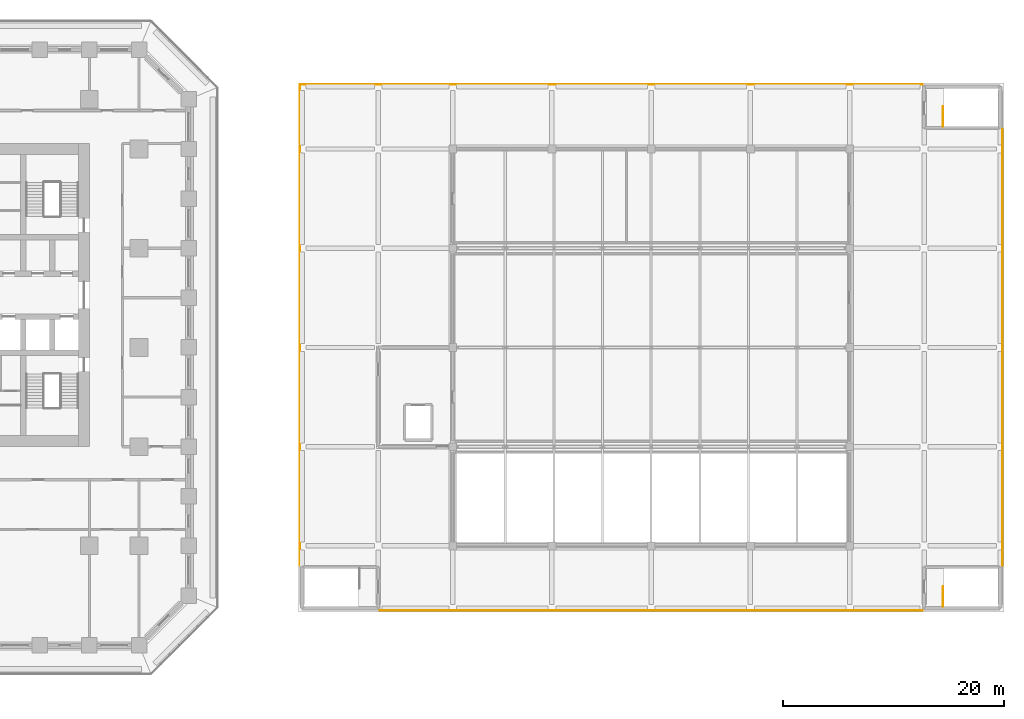
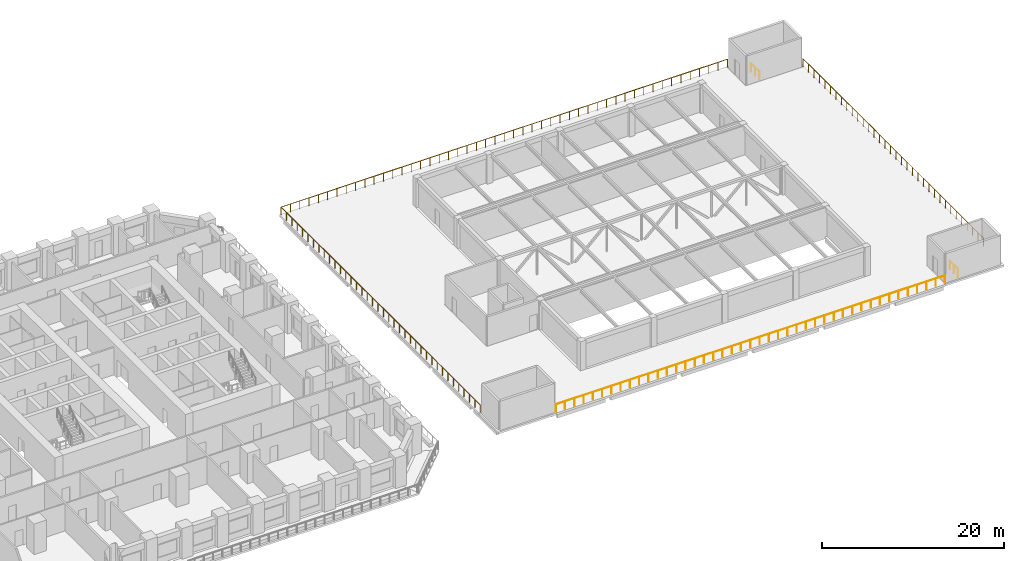
# One storey, part 29 of 30: 5 railings.
"""IFC4 building model written with IfcOpenShell, lengths in metres."""

import ifcopenshell
import ifcopenshell.guid

model = None  # the IFC model being written
_history = None  # IfcOwnerHistory: only IFC2X3 demands one
_inside = {}  # id of a spatial element -> (the spatial element, [elements in it])
_under = {}  # id of a project, library or spatial element -> (it, [spatial elements below it])
_declared = {}  # id of a project -> (the project, [libraries it declares])
_typed = {}  # id of a type object -> (the type object, [elements of that type])
_made_of = {}  # id of a material, layer set ... -> (it, [elements and type objects made of it])


def new_model(schema):
    """Start an empty IFC model of exactly this schema.

    Asked for "IFC4X3", IfcOpenShell would pick the latest addendum, in which some entities
    have other attributes; the version numbers below select the first issue.
    IFC2X3 requires an IfcOwnerHistory on every rooted entity: one is made here for all.
    """
    global model, _history
    if schema == "IFC4X3":
        model = ifcopenshell.file(schema_version=(4, 3, 0, 0))
    else:
        model = ifcopenshell.file(schema=schema)
    _inside.clear()
    _under.clear()
    _declared.clear()
    _typed.clear()
    _made_of.clear()
    _history = None
    if model.schema == "IFC2X3":
        org = make("IfcOrganization", Name="unknown")
        user = make(
            "IfcPersonAndOrganization",
            ThePerson=make("IfcPerson", FamilyName="unknown"),
            TheOrganization=org,
        )
        app = make(
            "IfcApplication",
            ApplicationDeveloper=org,
            Version="unknown",
            ApplicationFullName="unknown",
            ApplicationIdentifier="unknown",
        )
        _history = make(
            "IfcOwnerHistory",
            OwningUser=user,
            OwningApplication=app,
            ChangeAction="ADDED",
            CreationDate=0,
        )
    return model


def make(cls, **values):
    """One entity of the class cls with the attributes given. An attribute that is None is left unset."""
    return model.create_entity(
        cls, **{name: value for name, value in values.items() if value is not None}
    )


def rooted(cls, **values):
    """An entity with a GlobalId (a new one), such as an element, a storey or a relation."""
    return make(cls, GlobalId=ifcopenshell.guid.new(), OwnerHistory=_history, **values)


def si_unit(unit_type, name, prefix=None):
    """IfcSIUnit, for example si_unit("LENGTHUNIT", "METRE", prefix="MILLI")."""
    return make("IfcSIUnit", UnitType=unit_type, Prefix=prefix, Name=name)


def assignment(units):
    """IfcUnitAssignment: the units of a project."""
    return None if units is None else make("IfcUnitAssignment", Units=units)


def point(xyz):
    """IfcCartesianPoint."""
    return None if xyz is None else make("IfcCartesianPoint", Coordinates=xyz)


def direction(xyz):
    """IfcDirection."""
    return None if xyz is None else make("IfcDirection", DirectionRatios=xyz)


def frame(location, z_axis=None, x_axis=None):
    """IfcAxis2Placement3D, a coordinate frame: its origin and axes. An axis left out is left unset."""
    return make(
        "IfcAxis2Placement3D",
        Location=point(location),
        Axis=direction(z_axis),
        RefDirection=direction(x_axis),
    )


def frame_2d(location, x_axis=None):
    """IfcAxis2Placement2D, a coordinate frame in the plane: its origin and x axis."""
    return make(
        "IfcAxis2Placement2D", Location=point(location), RefDirection=direction(x_axis)
    )


def origin():
    """The frame at (0, 0, 0) with its axes left unset."""
    return frame((0.0, 0.0, 0.0))


def origin_2d():
    """The frame at (0, 0) in the plane with its x axis left unset."""
    return frame_2d((0.0, 0.0))


def place(relative_to, where):
    """IfcLocalPlacement: puts the frame where relative to a parent placement (None: the world)."""
    return make(
        "IfcLocalPlacement", PlacementRelTo=relative_to, RelativePlacement=where
    )


def context(
    kind, dimensions, precision=None, world=None, true_north=None, identifier=None
):
    """IfcGeometricRepresentationContext, for example the 3D "Model" context."""
    return make(
        "IfcGeometricRepresentationContext",
        ContextIdentifier=identifier,
        ContextType=kind,
        CoordinateSpaceDimension=dimensions,
        Precision=precision,
        WorldCoordinateSystem=world,
        TrueNorth=true_north,
    )


def subcontext(parent, identifier, kind, view, scale=None):
    """IfcGeometricRepresentationSubContext, for example "Body" below "Model"."""
    return make(
        "IfcGeometricRepresentationSubContext",
        ContextIdentifier=identifier,
        ContextType=kind,
        ParentContext=parent,
        TargetScale=scale,
        TargetView=view,
    )


def project(units=None, contexts=None):
    """IfcProject with its units and contexts."""
    return rooted(
        "IfcProject",
        Name="project",
        RepresentationContexts=contexts,
        UnitsInContext=assignment(units),
    )


def spatial(cls, under=None, at=None, **own):
    """A site, building, storey or space (cls), placed at a placement, below another one or the project."""
    s = rooted(cls, ObjectPlacement=at, **own)
    if under is not None:
        _under.setdefault(under.id(), (under, []))[1].append(s)
    return s


def profile(cls, at=None, kind="AREA", **sizes):
    """A parametric profile (cls). Its sizes go by their IFC names, for example OverallWidth=200.0."""
    return make(cls, ProfileType=kind, Position=at, **sizes)


def circle(**sizes):
    """IfcCircleProfileDef."""
    return profile("IfcCircleProfileDef", **sizes)


def extrude(swept, where, along, depth):
    """IfcExtrudedAreaSolid: the profile swept, set in the frame where, extruded along a direction by depth."""
    return make(
        "IfcExtrudedAreaSolid",
        SweptArea=swept,
        Position=where,
        ExtrudedDirection=direction(along),
        Depth=depth,
    )


def shape(context_of_items, identifier, shape_type, items):
    """IfcShapeRepresentation: the items that make up one representation, for example the "Body"."""
    return make(
        "IfcShapeRepresentation",
        ContextOfItems=context_of_items,
        RepresentationIdentifier=identifier,
        RepresentationType=shape_type,
        Items=items,
    )


def material(Name=None, Category=None):
    """IfcMaterial."""
    return make("IfcMaterial", Name=Name, Category=Category)


def made_of(thing, what):
    """Note that an element or type object is made of a material, layer set ...; save() writes the relation."""
    if what is not None:
        _made_of.setdefault(what.id(), (what, []))[1].append(thing)
    return thing


def type_object(cls, material=None, **own):
    """A type object (cls), such as IfcWallType, which elements share."""
    return made_of(rooted(cls, **own), material)


def element(
    cls,
    number,
    at=None,
    inside=None,
    cuts=None,
    type_object=None,
    material=None,
    context=None,
    identifier="Body",
    shape_type=None,
    held_by="IfcProductDefinitionShape",
    body=None,
    shapes=None,
    **own,
):
    """One element of the class cls, such as IfcWall. Its Tag is "e" and its number.

    at: its placement. inside: the storey or other place that contains it. cuts: it is an
    opening in that element (IfcRelVoidsElement). A single representation is given by context,
    identifier, shape_type and body (its items); several are given by shapes. held_by: the class
    of the entity that holds the representations. save() writes the other relations.
    """
    e = rooted(cls, Tag="e%d" % number, ObjectPlacement=at, **own)
    if body is not None:
        shapes = [shape(context, identifier, shape_type, body)]
    if shapes is not None:
        e.Representation = make(held_by, Representations=shapes)
    if inside is not None:
        _inside.setdefault(inside.id(), (inside, []))[1].append(e)
    if cuts is not None:
        rooted(
            "IfcRelVoidsElement", RelatingBuildingElement=cuts, RelatedOpeningElement=e
        )
    if type_object is not None:
        _typed.setdefault(type_object.id(), (type_object, []))[1].append(e)
    return made_of(e, material)


def aggregate(whole, parts):
    """IfcRelAggregates: a whole, such as a stair, and the parts it consists of."""
    return rooted("IfcRelAggregates", RelatingObject=whole, RelatedObjects=parts)


def save(model, path):
    """Write the relations noted so far, then the file.

    IfcRelAggregates (storeys below a building ...), IfcRelContainedInSpatialStructure (elements
    in a storey), IfcRelDefinesByType, IfcRelAssociatesMaterial and IfcRelDeclares: one each for
    every whole, place, type object, material and project.
    """
    for whole, parts in _under.values():
        aggregate(whole, parts)
    for where, things in _inside.values():
        rooted(
            "IfcRelContainedInSpatialStructure",
            RelatedElements=things,
            RelatingStructure=where,
        )
    for kind, things in _typed.values():
        rooted("IfcRelDefinesByType", RelatedObjects=things, RelatingType=kind)
    for what, things in _made_of.values():
        rooted("IfcRelAssociatesMaterial", RelatedObjects=things, RelatingMaterial=what)
    for by, libraries in _declared.values():
        rooted("IfcRelDeclares", RelatingContext=by, RelatedDefinitions=libraries)
    model.write(path)


model = new_model("IFC4")

# Units and contexts
model_context = context("Model", 3, precision=1e-05, world=origin(), true_north=direction((0.0, 1.0)))
body_context = subcontext(model_context, "Body", "Model", "MODEL_VIEW")
ifc_project = project(units=[si_unit("LENGTHUNIT", "METRE"), si_unit("AREAUNIT", "SQUARE_METRE"), si_unit("VOLUMEUNIT", "CUBIC_METRE"), si_unit("PLANEANGLEUNIT", "RADIAN"), si_unit("MASSUNIT", "GRAM", prefix="KILO")], contexts=[model_context])

# Site, building, storey
site_placement = place(None, origin())
site = spatial("IfcSite", under=ifc_project, at=site_placement, CompositionType="ELEMENT")
building_placement = place(site_placement, origin())
building = spatial("IfcBuilding", under=site, at=building_placement, Name="Corbel Stack Research Tower", CompositionType="ELEMENT")
storey_placement = place(building_placement, frame((0.0, 0.0, 19.5)))
storey = spatial("IfcBuildingStorey", under=building, at=storey_placement, Name="L04", CompositionType="ELEMENT", Elevation=19.5)

# Railings
ifc_material = material(Name="Steel S235", Category="steel")
railing_type = type_object("IfcRailingType", Name="HR1 guard 1100", PredefinedType="GUARDRAIL", material=ifc_material)
railing_1_placement = place(storey_placement, frame((93.570068359375, -23.85009765625, 0.0)))
element("IfcRailing", 1, at=railing_1_placement, inside=storey, type_object=railing_type, Name="Roof terrace guard 1", PredefinedType="GUARDRAIL", context=body_context, shape_type="SweptSolid", body=[
    extrude(circle(Radius=0.02392578125, at=origin_2d()), frame((0.0, 0.0, 1.076171875), z_axis=(-1.0, 0.0, 0.0), x_axis=(0.0, -1.0, 0.0)), (0.0, 0.0, 1.0), 49.239990234375),
    extrude(circle(Radius=0.02099609375, at=origin_2d()), origin(), (0.0, 0.0, 1.0), 1.052001953125),
    extrude(circle(Radius=0.02099609375, at=origin_2d()), frame((-1.17236328125, 0.0, 0.0)), (0.0, 0.0, 1.0), 1.052001953125),
    extrude(circle(Radius=0.02099609375, at=origin_2d()), frame((-2.3447265625, 0.0, 0.0)), (0.0, 0.0, 1.0), 1.052001953125),
    extrude(circle(Radius=0.02099609375, at=origin_2d()), frame((-3.51708984375, 0.0, 0.0)), (0.0, 0.0, 1.0), 1.052001953125),
    extrude(circle(Radius=0.02099609375, at=origin_2d()), frame((-4.689453125, 0.0, 0.0)), (0.0, 0.0, 1.0), 1.052001953125),
    extrude(circle(Radius=0.02099609375, at=origin_2d()), frame((-5.86181640625, 0.0, 0.0)), (0.0, 0.0, 1.0), 1.052001953125),
    extrude(circle(Radius=0.02099609375, at=origin_2d()), frame((-7.0341796875, 0.0, 0.0)), (0.0, 0.0, 1.0), 1.052001953125),
    extrude(circle(Radius=0.02099609375, at=origin_2d()), frame((-8.20654296875, 0.0, 0.0)), (0.0, 0.0, 1.0), 1.052001953125),
    extrude(circle(Radius=0.02099609375, at=origin_2d()), frame((-9.379150390625, 0.0, 0.0)), (0.0, 0.0, 1.0), 1.052001953125),
    extrude(circle(Radius=0.02099609375, at=origin_2d()), frame((-10.551513671875, 0.0, 0.0)), (0.0, 0.0, 1.0), 1.052001953125),
    extrude(circle(Radius=0.02099609375, at=origin_2d()), frame((-11.723876953125, 0.0, 0.0)), (0.0, 0.0, 1.0), 1.052001953125),
    extrude(circle(Radius=0.02099609375, at=origin_2d()), frame((-12.896240234375, 0.0, 0.0)), (0.0, 0.0, 1.0), 1.052001953125),
    extrude(circle(Radius=0.02099609375, at=origin_2d()), frame((-14.068603515625, 0.0, 0.0)), (0.0, 0.0, 1.0), 1.052001953125),
    extrude(circle(Radius=0.02099609375, at=origin_2d()), frame((-15.240966796875, 0.0, 0.0)), (0.0, 0.0, 1.0), 1.052001953125),
    extrude(circle(Radius=0.02099609375, at=origin_2d()), frame((-16.413330078125, 0.0, 0.0)), (0.0, 0.0, 1.0), 1.052001953125),
    extrude(circle(Radius=0.02099609375, at=origin_2d()), frame((-17.585693359375, 0.0, 0.0)), (0.0, 0.0, 1.0), 1.052001953125),
    extrude(circle(Radius=0.02099609375, at=origin_2d()), frame((-18.758056640625, 0.0, 0.0)), (0.0, 0.0, 1.0), 1.052001953125),
    extrude(circle(Radius=0.02099609375, at=origin_2d()), frame((-19.930419921875, 0.0, 0.0)), (0.0, 0.0, 1.0), 1.052001953125),
    extrude(circle(Radius=0.02099609375, at=origin_2d()), frame((-21.102783203125, 0.0, 0.0)), (0.0, 0.0, 1.0), 1.052001953125),
    extrude(circle(Radius=0.02099609375, at=origin_2d()), frame((-22.275146484375, 0.0, 0.0)), (0.0, 0.0, 1.0), 1.052001953125),
    extrude(circle(Radius=0.02099609375, at=origin_2d()), frame((-23.447509765625, 0.0, 0.0)), (0.0, 0.0, 1.0), 1.052001953125),
    extrude(circle(Radius=0.02099609375, at=origin_2d()), frame((-24.6201171875, 0.0, 0.0)), (0.0, 0.0, 1.0), 1.052001953125),
    extrude(circle(Radius=0.02099609375, at=origin_2d()), frame((-25.79248046875, 0.0, 0.0)), (0.0, 0.0, 1.0), 1.052001953125),
    extrude(circle(Radius=0.02099609375, at=origin_2d()), frame((-26.96484375, 0.0, 0.0)), (0.0, 0.0, 1.0), 1.052001953125),
    extrude(circle(Radius=0.02099609375, at=origin_2d()), frame((-28.13720703125, 0.0, 0.0)), (0.0, 0.0, 1.0), 1.052001953125),
    extrude(circle(Radius=0.02099609375, at=origin_2d()), frame((-29.3095703125, 0.0, 0.0)), (0.0, 0.0, 1.0), 1.052001953125),
    extrude(circle(Radius=0.02099609375, at=origin_2d()), frame((-30.48193359375, 0.0, 0.0)), (0.0, 0.0, 1.0), 1.052001953125),
    extrude(circle(Radius=0.02099609375, at=origin_2d()), frame((-31.654296875, 0.0, 0.0)), (0.0, 0.0, 1.0), 1.052001953125),
    extrude(circle(Radius=0.02099609375, at=origin_2d()), frame((-32.82666015625, 0.0, 0.0)), (0.0, 0.0, 1.0), 1.052001953125),
    extrude(circle(Radius=0.02099609375, at=origin_2d()), frame((-33.9990234375, 0.0, 0.0)), (0.0, 0.0, 1.0), 1.052001953125),
    extrude(circle(Radius=0.02099609375, at=origin_2d()), frame((-35.17138671875, 0.0, 0.0)), (0.0, 0.0, 1.0), 1.052001953125),
    extrude(circle(Radius=0.02099609375, at=origin_2d()), frame((-36.34375, 0.0, 0.0)), (0.0, 0.0, 1.0), 1.052001953125),
    extrude(circle(Radius=0.02099609375, at=origin_2d()), frame((-37.51611328125, 0.0, 0.0)), (0.0, 0.0, 1.0), 1.052001953125),
    extrude(circle(Radius=0.02099609375, at=origin_2d()), frame((-38.6884765625, 0.0, 0.0)), (0.0, 0.0, 1.0), 1.052001953125),
    extrude(circle(Radius=0.02099609375, at=origin_2d()), frame((-39.86083984375, 0.0, 0.0)), (0.0, 0.0, 1.0), 1.052001953125),
    extrude(circle(Radius=0.02099609375, at=origin_2d()), frame((-41.033203125, 0.0, 0.0)), (0.0, 0.0, 1.0), 1.052001953125),
    extrude(circle(Radius=0.02099609375, at=origin_2d()), frame((-42.205810546875, 0.0, 0.0)), (0.0, 0.0, 1.0), 1.052001953125),
    extrude(circle(Radius=0.02099609375, at=origin_2d()), frame((-43.378173828125, 0.0, 0.0)), (0.0, 0.0, 1.0), 1.052001953125),
    extrude(circle(Radius=0.02099609375, at=origin_2d()), frame((-44.550537109375, 0.0, 0.0)), (0.0, 0.0, 1.0), 1.052001953125),
    extrude(circle(Radius=0.02099609375, at=origin_2d()), frame((-45.722900390625, 0.0, 0.0)), (0.0, 0.0, 1.0), 1.052001953125),
    extrude(circle(Radius=0.02099609375, at=origin_2d()), frame((-46.895263671875, 0.0, 0.0)), (0.0, 0.0, 1.0), 1.052001953125),
    extrude(circle(Radius=0.02099609375, at=origin_2d()), frame((-48.067626953125, 0.0, 0.0)), (0.0, 0.0, 1.0), 1.052001953125),
    extrude(circle(Radius=0.02099609375, at=origin_2d()), frame((-49.239990234375, 0.0, 0.0)), (0.0, 0.0, 1.0), 1.052001953125),
])
railing_2_placement = place(storey_placement, frame((37.10009765625, -19.794921875, 0.0)))
element("IfcRailing", 2, at=railing_2_placement, inside=storey, type_object=railing_type, Name="Roof terrace guard 2", PredefinedType="GUARDRAIL", context=body_context, shape_type="SweptSolid", body=[
    extrude(circle(Radius=0.02392578125, at=origin_2d()), frame((0.0, 0.0, 1.076171875), z_axis=(0.0, 1.0, 0.0), x_axis=(-1.0, 0.0, 0.0)), (0.0, 0.0, 1.0), 43.64501953125),
    extrude(circle(Radius=0.02392578125, at=origin_2d()), frame((0.0, 43.64501953125, 1.076171875), z_axis=(1.0, 0.0, 0.0), x_axis=(0.0, 1.0, 0.0)), (0.0, 0.0, 1.0), 56.469970703125),
    extrude(circle(Radius=0.02099609375, at=origin_2d()), origin(), (0.0, 0.0, 1.0), 1.052001953125),
    extrude(circle(Radius=0.02099609375, at=origin_2d()), frame((0.0, 1.1796875, 0.0)), (0.0, 0.0, 1.0), 1.052001953125),
    extrude(circle(Radius=0.02099609375, at=origin_2d()), frame((0.0, 2.359130859375, 0.0)), (0.0, 0.0, 1.0), 1.052001953125),
    extrude(circle(Radius=0.02099609375, at=origin_2d()), frame((0.0, 3.538818359375, 0.0)), (0.0, 0.0, 1.0), 1.052001953125),
    extrude(circle(Radius=0.02099609375, at=origin_2d()), frame((0.0, 4.71826171875, 0.0)), (0.0, 0.0, 1.0), 1.052001953125),
    extrude(circle(Radius=0.02099609375, at=origin_2d()), frame((0.0, 5.89794921875, 0.0)), (0.0, 0.0, 1.0), 1.052001953125),
    extrude(circle(Radius=0.02099609375, at=origin_2d()), frame((0.0, 7.07763671875, 0.0)), (0.0, 0.0, 1.0), 1.052001953125),
    extrude(circle(Radius=0.02099609375, at=origin_2d()), frame((0.0, 8.257080078125, 0.0)), (0.0, 0.0, 1.0), 1.052001953125),
    extrude(circle(Radius=0.02099609375, at=origin_2d()), frame((0.0, 9.436767578125, 0.0)), (0.0, 0.0, 1.0), 1.052001953125),
    extrude(circle(Radius=0.02099609375, at=origin_2d()), frame((0.0, 10.616455078125, 0.0)), (0.0, 0.0, 1.0), 1.052001953125),
    extrude(circle(Radius=0.02099609375, at=origin_2d()), frame((0.0, 11.7958984375, 0.0)), (0.0, 0.0, 1.0), 1.052001953125),
    extrude(circle(Radius=0.02099609375, at=origin_2d()), frame((0.0, 12.9755859375, 0.0)), (0.0, 0.0, 1.0), 1.052001953125),
    extrude(circle(Radius=0.02099609375, at=origin_2d()), frame((0.0, 14.155029296875, 0.0)), (0.0, 0.0, 1.0), 1.052001953125),
    extrude(circle(Radius=0.02099609375, at=origin_2d()), frame((0.0, 15.334716796875, 0.0)), (0.0, 0.0, 1.0), 1.052001953125),
    extrude(circle(Radius=0.02099609375, at=origin_2d()), frame((0.0, 16.514404296875, 0.0)), (0.0, 0.0, 1.0), 1.052001953125),
    extrude(circle(Radius=0.02099609375, at=origin_2d()), frame((0.0, 17.69384765625, 0.0)), (0.0, 0.0, 1.0), 1.052001953125),
    extrude(circle(Radius=0.02099609375, at=origin_2d()), frame((0.0, 18.87353515625, 0.0)), (0.0, 0.0, 1.0), 1.052001953125),
    extrude(circle(Radius=0.02099609375, at=origin_2d()), frame((0.0, 20.05322265625, 0.0)), (0.0, 0.0, 1.0), 1.052001953125),
    extrude(circle(Radius=0.02099609375, at=origin_2d()), frame((0.0, 21.232666015625, 0.0)), (0.0, 0.0, 1.0), 1.052001953125),
    extrude(circle(Radius=0.02099609375, at=origin_2d()), frame((0.0, 22.412353515625, 0.0)), (0.0, 0.0, 1.0), 1.052001953125),
    extrude(circle(Radius=0.02099609375, at=origin_2d()), frame((0.0, 23.591796875, 0.0)), (0.0, 0.0, 1.0), 1.052001953125),
    extrude(circle(Radius=0.02099609375, at=origin_2d()), frame((0.0, 24.771484375, 0.0)), (0.0, 0.0, 1.0), 1.052001953125),
    extrude(circle(Radius=0.02099609375, at=origin_2d()), frame((0.0, 25.951171875, 0.0)), (0.0, 0.0, 1.0), 1.052001953125),
    extrude(circle(Radius=0.02099609375, at=origin_2d()), frame((0.0, 27.130615234375, 0.0)), (0.0, 0.0, 1.0), 1.052001953125),
    extrude(circle(Radius=0.02099609375, at=origin_2d()), frame((0.0, 28.310302734375, 0.0)), (0.0, 0.0, 1.0), 1.052001953125),
    extrude(circle(Radius=0.02099609375, at=origin_2d()), frame((0.0, 29.489990234375, 0.0)), (0.0, 0.0, 1.0), 1.052001953125),
    extrude(circle(Radius=0.02099609375, at=origin_2d()), frame((0.0, 30.66943359375, 0.0)), (0.0, 0.0, 1.0), 1.052001953125),
    extrude(circle(Radius=0.02099609375, at=origin_2d()), frame((0.0, 31.84912109375, 0.0)), (0.0, 0.0, 1.0), 1.052001953125),
    extrude(circle(Radius=0.02099609375, at=origin_2d()), frame((0.0, 33.028564453125, 0.0)), (0.0, 0.0, 1.0), 1.052001953125),
    extrude(circle(Radius=0.02099609375, at=origin_2d()), frame((0.0, 34.208251953125, 0.0)), (0.0, 0.0, 1.0), 1.052001953125),
    extrude(circle(Radius=0.02099609375, at=origin_2d()), frame((0.0, 35.387939453125, 0.0)), (0.0, 0.0, 1.0), 1.052001953125),
    extrude(circle(Radius=0.02099609375, at=origin_2d()), frame((0.0, 36.5673828125, 0.0)), (0.0, 0.0, 1.0), 1.052001953125),
    extrude(circle(Radius=0.02099609375, at=origin_2d()), frame((0.0, 37.7470703125, 0.0)), (0.0, 0.0, 1.0), 1.052001953125),
    extrude(circle(Radius=0.02099609375, at=origin_2d()), frame((0.0, 38.9267578125, 0.0)), (0.0, 0.0, 1.0), 1.052001953125),
    extrude(circle(Radius=0.02099609375, at=origin_2d()), frame((0.0, 40.106201171875, 0.0)), (0.0, 0.0, 1.0), 1.052001953125),
    extrude(circle(Radius=0.02099609375, at=origin_2d()), frame((0.0, 41.285888671875, 0.0)), (0.0, 0.0, 1.0), 1.052001953125),
    extrude(circle(Radius=0.02099609375, at=origin_2d()), frame((0.0, 42.46533203125, 0.0)), (0.0, 0.0, 1.0), 1.052001953125),
    extrude(circle(Radius=0.02099609375, at=origin_2d()), frame((0.0, 43.64501953125, 0.0)), (0.0, 0.0, 1.0), 1.052001953125),
    extrude(circle(Radius=0.02099609375, at=origin_2d()), frame((1.176513671875, 43.64501953125, 0.0)), (0.0, 0.0, 1.0), 1.052001953125),
    extrude(circle(Radius=0.02099609375, at=origin_2d()), frame((2.35302734375, 43.64501953125, 0.0)), (0.0, 0.0, 1.0), 1.052001953125),
    extrude(circle(Radius=0.02099609375, at=origin_2d()), frame((3.529296875, 43.64501953125, 0.0)), (0.0, 0.0, 1.0), 1.052001953125),
    extrude(circle(Radius=0.02099609375, at=origin_2d()), frame((4.705810546875, 43.64501953125, 0.0)), (0.0, 0.0, 1.0), 1.052001953125),
    extrude(circle(Radius=0.02099609375, at=origin_2d()), frame((5.88232421875, 43.64501953125, 0.0)), (0.0, 0.0, 1.0), 1.052001953125),
    extrude(circle(Radius=0.02099609375, at=origin_2d()), frame((7.058837890625, 43.64501953125, 0.0)), (0.0, 0.0, 1.0), 1.052001953125),
    extrude(circle(Radius=0.02099609375, at=origin_2d()), frame((8.235107421875, 43.64501953125, 0.0)), (0.0, 0.0, 1.0), 1.052001953125),
    extrude(circle(Radius=0.02099609375, at=origin_2d()), frame((9.41162109375, 43.64501953125, 0.0)), (0.0, 0.0, 1.0), 1.052001953125),
    extrude(circle(Radius=0.02099609375, at=origin_2d()), frame((10.588134765625, 43.64501953125, 0.0)), (0.0, 0.0, 1.0), 1.052001953125),
    extrude(circle(Radius=0.02099609375, at=origin_2d()), frame((11.7646484375, 43.64501953125, 0.0)), (0.0, 0.0, 1.0), 1.052001953125),
    extrude(circle(Radius=0.02099609375, at=origin_2d()), frame((12.94091796875, 43.64501953125, 0.0)), (0.0, 0.0, 1.0), 1.052001953125),
    extrude(circle(Radius=0.02099609375, at=origin_2d()), frame((14.117431640625, 43.64501953125, 0.0)), (0.0, 0.0, 1.0), 1.052001953125),
    extrude(circle(Radius=0.02099609375, at=origin_2d()), frame((15.2939453125, 43.64501953125, 0.0)), (0.0, 0.0, 1.0), 1.052001953125),
    extrude(circle(Radius=0.02099609375, at=origin_2d()), frame((16.470458984375, 43.64501953125, 0.0)), (0.0, 0.0, 1.0), 1.052001953125),
    extrude(circle(Radius=0.02099609375, at=origin_2d()), frame((17.64697265625, 43.64501953125, 0.0)), (0.0, 0.0, 1.0), 1.052001953125),
    extrude(circle(Radius=0.02099609375, at=origin_2d()), frame((18.8232421875, 43.64501953125, 0.0)), (0.0, 0.0, 1.0), 1.052001953125),
    extrude(circle(Radius=0.02099609375, at=origin_2d()), frame((19.999755859375, 43.64501953125, 0.0)), (0.0, 0.0, 1.0), 1.052001953125),
    extrude(circle(Radius=0.02099609375, at=origin_2d()), frame((21.17626953125, 43.64501953125, 0.0)), (0.0, 0.0, 1.0), 1.052001953125),
    extrude(circle(Radius=0.02099609375, at=origin_2d()), frame((22.352783203125, 43.64501953125, 0.0)), (0.0, 0.0, 1.0), 1.052001953125),
    extrude(circle(Radius=0.02099609375, at=origin_2d()), frame((23.529052734375, 43.64501953125, 0.0)), (0.0, 0.0, 1.0), 1.052001953125),
    extrude(circle(Radius=0.02099609375, at=origin_2d()), frame((24.70556640625, 43.64501953125, 0.0)), (0.0, 0.0, 1.0), 1.052001953125),
    extrude(circle(Radius=0.02099609375, at=origin_2d()), frame((25.882080078125, 43.64501953125, 0.0)), (0.0, 0.0, 1.0), 1.052001953125),
    extrude(circle(Radius=0.02099609375, at=origin_2d()), frame((27.05859375, 43.64501953125, 0.0)), (0.0, 0.0, 1.0), 1.052001953125),
    extrude(circle(Radius=0.02099609375, at=origin_2d()), frame((28.23486328125, 43.64501953125, 0.0)), (0.0, 0.0, 1.0), 1.052001953125),
    extrude(circle(Radius=0.02099609375, at=origin_2d()), frame((29.411376953125, 43.64501953125, 0.0)), (0.0, 0.0, 1.0), 1.052001953125),
    extrude(circle(Radius=0.02099609375, at=origin_2d()), frame((30.587890625, 43.64501953125, 0.0)), (0.0, 0.0, 1.0), 1.052001953125),
    extrude(circle(Radius=0.02099609375, at=origin_2d()), frame((31.764404296875, 43.64501953125, 0.0)), (0.0, 0.0, 1.0), 1.052001953125),
    extrude(circle(Radius=0.02099609375, at=origin_2d()), frame((32.94091796875, 43.64501953125, 0.0)), (0.0, 0.0, 1.0), 1.052001953125),
    extrude(circle(Radius=0.02099609375, at=origin_2d()), frame((34.1171875, 43.64501953125, 0.0)), (0.0, 0.0, 1.0), 1.052001953125),
    extrude(circle(Radius=0.02099609375, at=origin_2d()), frame((35.293701171875, 43.64501953125, 0.0)), (0.0, 0.0, 1.0), 1.052001953125),
    extrude(circle(Radius=0.02099609375, at=origin_2d()), frame((36.47021484375, 43.64501953125, 0.0)), (0.0, 0.0, 1.0), 1.052001953125),
    extrude(circle(Radius=0.02099609375, at=origin_2d()), frame((37.646728515625, 43.64501953125, 0.0)), (0.0, 0.0, 1.0), 1.052001953125),
    extrude(circle(Radius=0.02099609375, at=origin_2d()), frame((38.822998046875, 43.64501953125, 0.0)), (0.0, 0.0, 1.0), 1.052001953125),
    extrude(circle(Radius=0.02099609375, at=origin_2d()), frame((39.99951171875, 43.64501953125, 0.0)), (0.0, 0.0, 1.0), 1.052001953125),
    extrude(circle(Radius=0.02099609375, at=origin_2d()), frame((41.176025390625, 43.64501953125, 0.0)), (0.0, 0.0, 1.0), 1.052001953125),
    extrude(circle(Radius=0.02099609375, at=origin_2d()), frame((42.3525390625, 43.64501953125, 0.0)), (0.0, 0.0, 1.0), 1.052001953125),
    extrude(circle(Radius=0.02099609375, at=origin_2d()), frame((43.529052734375, 43.64501953125, 0.0)), (0.0, 0.0, 1.0), 1.052001953125),
    extrude(circle(Radius=0.02099609375, at=origin_2d()), frame((44.705322265625, 43.64501953125, 0.0)), (0.0, 0.0, 1.0), 1.052001953125),
    extrude(circle(Radius=0.02099609375, at=origin_2d()), frame((45.8818359375, 43.64501953125, 0.0)), (0.0, 0.0, 1.0), 1.052001953125),
    extrude(circle(Radius=0.02099609375, at=origin_2d()), frame((47.058349609375, 43.64501953125, 0.0)), (0.0, 0.0, 1.0), 1.052001953125),
    extrude(circle(Radius=0.02099609375, at=origin_2d()), frame((48.23486328125, 43.64501953125, 0.0)), (0.0, 0.0, 1.0), 1.052001953125),
    extrude(circle(Radius=0.02099609375, at=origin_2d()), frame((49.4111328125, 43.64501953125, 0.0)), (0.0, 0.0, 1.0), 1.052001953125),
    extrude(circle(Radius=0.02099609375, at=origin_2d()), frame((50.587646484375, 43.64501953125, 0.0)), (0.0, 0.0, 1.0), 1.052001953125),
    extrude(circle(Radius=0.02099609375, at=origin_2d()), frame((51.76416015625, 43.64501953125, 0.0)), (0.0, 0.0, 1.0), 1.052001953125),
    extrude(circle(Radius=0.02099609375, at=origin_2d()), frame((52.940673828125, 43.64501953125, 0.0)), (0.0, 0.0, 1.0), 1.052001953125),
    extrude(circle(Radius=0.02099609375, at=origin_2d()), frame((54.116943359375, 43.64501953125, 0.0)), (0.0, 0.0, 1.0), 1.052001953125),
    extrude(circle(Radius=0.02099609375, at=origin_2d()), frame((55.29345703125, 43.64501953125, 0.0)), (0.0, 0.0, 1.0), 1.052001953125),
    extrude(circle(Radius=0.02099609375, at=origin_2d()), frame((56.469970703125, 43.64501953125, 0.0)), (0.0, 0.0, 1.0), 1.052001953125),
])
railing_3_placement = place(storey_placement, frame((100.800048828125, 19.794921875, 0.0)))
element("IfcRailing", 3, at=railing_3_placement, inside=storey, type_object=railing_type, Name="Roof terrace guard 3", PredefinedType="GUARDRAIL", context=body_context, shape_type="SweptSolid", body=[
    extrude(circle(Radius=0.02392578125, at=origin_2d()), frame((0.0, 0.0, 1.076171875), z_axis=(0.0, -1.0, 0.0), x_axis=(1.0, 0.0, 0.0)), (0.0, 0.0, 1.0), 39.58984375),
    extrude(circle(Radius=0.02099609375, at=origin_2d()), origin(), (0.0, 0.0, 1.0), 1.052001953125),
    extrude(circle(Radius=0.02099609375, at=origin_2d()), frame((0.0, -1.19970703125, 0.0)), (0.0, 0.0, 1.0), 1.052001953125),
    extrude(circle(Radius=0.02099609375, at=origin_2d()), frame((0.0, -2.3994140625, 0.0)), (0.0, 0.0, 1.0), 1.052001953125),
    extrude(circle(Radius=0.02099609375, at=origin_2d()), frame((0.0, -3.59912109375, 0.0)), (0.0, 0.0, 1.0), 1.052001953125),
    extrude(circle(Radius=0.02099609375, at=origin_2d()), frame((0.0, -4.798828125, 0.0)), (0.0, 0.0, 1.0), 1.052001953125),
    extrude(circle(Radius=0.02099609375, at=origin_2d()), frame((0.0, -5.99853515625, 0.0)), (0.0, 0.0, 1.0), 1.052001953125),
    extrude(circle(Radius=0.02099609375, at=origin_2d()), frame((0.0, -7.1982421875, 0.0)), (0.0, 0.0, 1.0), 1.052001953125),
    extrude(circle(Radius=0.02099609375, at=origin_2d()), frame((0.0, -8.39794921875, 0.0)), (0.0, 0.0, 1.0), 1.052001953125),
    extrude(circle(Radius=0.02099609375, at=origin_2d()), frame((0.0, -9.59765625, 0.0)), (0.0, 0.0, 1.0), 1.052001953125),
    extrude(circle(Radius=0.02099609375, at=origin_2d()), frame((0.0, -10.797119140625, 0.0)), (0.0, 0.0, 1.0), 1.052001953125),
    extrude(circle(Radius=0.02099609375, at=origin_2d()), frame((0.0, -11.996826171875, 0.0)), (0.0, 0.0, 1.0), 1.052001953125),
    extrude(circle(Radius=0.02099609375, at=origin_2d()), frame((0.0, -13.196533203125, 0.0)), (0.0, 0.0, 1.0), 1.052001953125),
    extrude(circle(Radius=0.02099609375, at=origin_2d()), frame((0.0, -14.396240234375, 0.0)), (0.0, 0.0, 1.0), 1.052001953125),
    extrude(circle(Radius=0.02099609375, at=origin_2d()), frame((0.0, -15.595947265625, 0.0)), (0.0, 0.0, 1.0), 1.052001953125),
    extrude(circle(Radius=0.02099609375, at=origin_2d()), frame((0.0, -16.795654296875, 0.0)), (0.0, 0.0, 1.0), 1.052001953125),
    extrude(circle(Radius=0.02099609375, at=origin_2d()), frame((0.0, -17.995361328125, 0.0)), (0.0, 0.0, 1.0), 1.052001953125),
    extrude(circle(Radius=0.02099609375, at=origin_2d()), frame((0.0, -19.195068359375, 0.0)), (0.0, 0.0, 1.0), 1.052001953125),
    extrude(circle(Radius=0.02099609375, at=origin_2d()), frame((0.0, -20.394775390625, 0.0)), (0.0, 0.0, 1.0), 1.052001953125),
    extrude(circle(Radius=0.02099609375, at=origin_2d()), frame((0.0, -21.594482421875, 0.0)), (0.0, 0.0, 1.0), 1.052001953125),
    extrude(circle(Radius=0.02099609375, at=origin_2d()), frame((0.0, -22.794189453125, 0.0)), (0.0, 0.0, 1.0), 1.052001953125),
    extrude(circle(Radius=0.02099609375, at=origin_2d()), frame((0.0, -23.993896484375, 0.0)), (0.0, 0.0, 1.0), 1.052001953125),
    extrude(circle(Radius=0.02099609375, at=origin_2d()), frame((0.0, -25.193603515625, 0.0)), (0.0, 0.0, 1.0), 1.052001953125),
    extrude(circle(Radius=0.02099609375, at=origin_2d()), frame((0.0, -26.393310546875, 0.0)), (0.0, 0.0, 1.0), 1.052001953125),
    extrude(circle(Radius=0.02099609375, at=origin_2d()), frame((0.0, -27.593017578125, 0.0)), (0.0, 0.0, 1.0), 1.052001953125),
    extrude(circle(Radius=0.02099609375, at=origin_2d()), frame((0.0, -28.792724609375, 0.0)), (0.0, 0.0, 1.0), 1.052001953125),
    extrude(circle(Radius=0.02099609375, at=origin_2d()), frame((0.0, -29.9921875, 0.0)), (0.0, 0.0, 1.0), 1.052001953125),
    extrude(circle(Radius=0.02099609375, at=origin_2d()), frame((0.0, -31.19189453125, 0.0)), (0.0, 0.0, 1.0), 1.052001953125),
    extrude(circle(Radius=0.02099609375, at=origin_2d()), frame((0.0, -32.3916015625, 0.0)), (0.0, 0.0, 1.0), 1.052001953125),
    extrude(circle(Radius=0.02099609375, at=origin_2d()), frame((0.0, -33.59130859375, 0.0)), (0.0, 0.0, 1.0), 1.052001953125),
    extrude(circle(Radius=0.02099609375, at=origin_2d()), frame((0.0, -34.791015625, 0.0)), (0.0, 0.0, 1.0), 1.052001953125),
    extrude(circle(Radius=0.02099609375, at=origin_2d()), frame((0.0, -35.99072265625, 0.0)), (0.0, 0.0, 1.0), 1.052001953125),
    extrude(circle(Radius=0.02099609375, at=origin_2d()), frame((0.0, -37.1904296875, 0.0)), (0.0, 0.0, 1.0), 1.052001953125),
    extrude(circle(Radius=0.02099609375, at=origin_2d()), frame((0.0, -38.39013671875, 0.0)), (0.0, 0.0, 1.0), 1.052001953125),
    extrude(circle(Radius=0.02099609375, at=origin_2d()), frame((0.0, -39.58984375, 0.0)), (0.0, 0.0, 1.0), 1.052001953125),
])
for number, where, name in (
    (4, (95.425048828125, 20.050048828125, 0.0), "L04 HS2 top well guard 1"),
    (5, (95.425048828125, -23.5, 0.0), "L04 HS3 top well guard 1"),
):
    element("IfcRailing", number, at=place(storey_placement, frame(where)), inside=storey, type_object=railing_type, Name=name, PredefinedType="GUARDRAIL", context=body_context, shape_type="SweptSolid", body=[
        extrude(circle(Radius=0.02392578125, at=origin_2d()), frame((0.0, 0.0, 1.076171875), z_axis=(0.0, 1.0, 0.0), x_axis=(-1.0, 0.0, 0.0)), (0.0, 0.0, 1.0), 1.800048828125),
        extrude(circle(Radius=0.02099609375, at=origin_2d()), origin(), (0.0, 0.0, 1.0), 1.052001953125),
        extrude(circle(Radius=0.02099609375, at=origin_2d()), frame((0.0, 0.89990234375, 0.0)), (0.0, 0.0, 1.0), 1.052001953125),
        extrude(circle(Radius=0.02099609375, at=origin_2d()), frame((0.0, 1.800048828125, 0.0)), (0.0, 0.0, 1.0), 1.052001953125),
    ])

save(model, "model.ifc")
